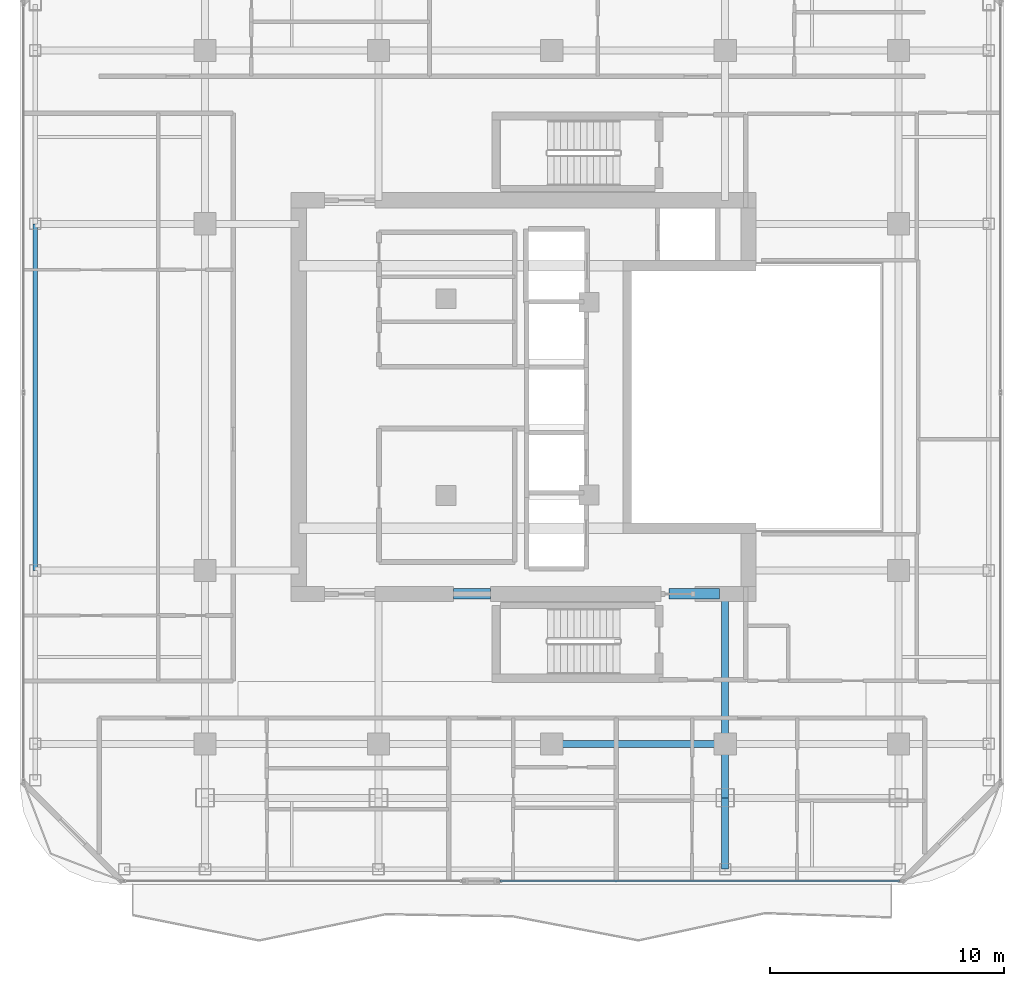
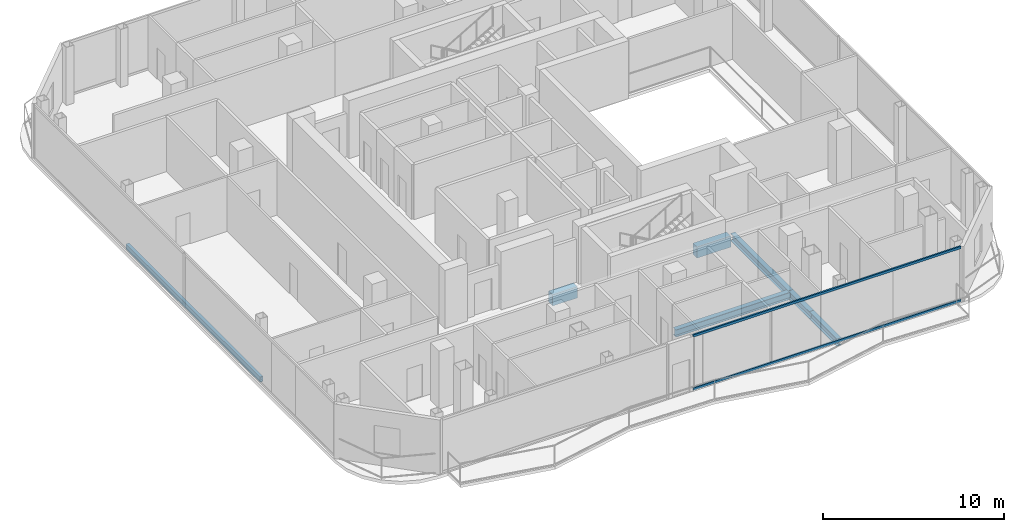
# One storey, part 5 of 22: 7 beams, 2 members, 1 element without a shape of its own.
"""IFC4 building model written with IfcOpenShell, lengths in metres."""

from ifc_helpers import new_model, si_unit, direction, frame, origin, origin_2d, place, context, subcontext, project, spatial, rectangle, hollow_rectangle, i_section, extrude, material, layer, layer_set, material_profile, profile_set, type_object, element, aggregate, save


model = new_model("IFC4")

# Units and contexts
model_context = context("Model", 3, precision=1e-05, world=origin(), true_north=direction((0.0, 1.0)))
body_context = subcontext(model_context, "Body", "Model", "MODEL_VIEW")
ifc_project = project(units=[si_unit("LENGTHUNIT", "METRE"), si_unit("AREAUNIT", "SQUARE_METRE"), si_unit("VOLUMEUNIT", "CUBIC_METRE"), si_unit("PLANEANGLEUNIT", "RADIAN"), si_unit("MASSUNIT", "GRAM", prefix="KILO")], contexts=[model_context])

# Site, building, storey
site_placement = place(None, origin())
site = spatial("IfcSite", under=ifc_project, at=site_placement, CompositionType="ELEMENT")
building_placement = place(site_placement, origin())
building = spatial("IfcBuilding", under=site, at=building_placement, Name="Khorvyn Point Tower", CompositionType="ELEMENT")
storey_placement = place(building_placement, frame((0.0, 0.0, 305.39990234375)))
storey = spatial("IfcBuildingStorey", under=building, at=storey_placement, Name="L75", CompositionType="ELEMENT", Elevation=305.39990234375)

# Curtain wall, members
ifc_material_1 = material(Name="Anodised aluminium 6063-T6 and laminated Low-E glass", Category="aluminium")
ifc_layer = layer(ifc_material_1, 0.18994140625)
ifc_layer_set = layer_set([ifc_layer], Name="Stick-Built High-Wind Curtain Wall CW-SYS-04")
curtain_wall_type = type_object("IfcCurtainWallType", Name="Stick-Built High-Wind Curtain Wall CW-SYS-04", PredefinedType="NOTDEFINED", material=ifc_layer_set)
curtain_wall_placement = place(storey_placement, origin())
curtain_wall = element("IfcCurtainWall", 1, at=curtain_wall_placement, inside=storey, type_object=curtain_wall_type, Name="Curtain Wall", PredefinedType="NOTDEFINED")
ifc_material_2 = material(Name="Anodised aluminium 6063-T6", Category="aluminium")
ifc_material_profile_1 = material_profile(ifc_material_2, hollow_rectangle(XDim=0.10009765625, YDim=0.159912109375, WallThickness=0.00439453125, at=origin_2d()))
ifc_profile_set_1 = profile_set([ifc_material_profile_1], Name="Anodised aluminium 6063-T6 ALU-TRN-100x160")
member_type = type_object("IfcMemberType", Name="Anodised Aluminium 6063-T6 Transom ALU-TRN-100x160", PredefinedType="USERDEFINED", material=ifc_profile_set_1)
member_1_placement = place(storey_placement, frame((14.85009765625, -20.64990234375, 0.050048828125), z_axis=(-1.0, 0.0, 0.0), x_axis=(0.0, -1.0, 0.0)))
member_1 = element("IfcMember", 2, at=member_1_placement, type_object=member_type, Name="Transom", ObjectType="TRANSOM", PredefinedType="USERDEFINED", context=body_context, shape_type="SweptSolid", body=[
    extrude(hollow_rectangle(XDim=0.10009765625, YDim=0.159912109375, WallThickness=0.00439453125, at=origin_2d()), origin(), (0.0, 0.0, 1.0), 17.05712890625),
])
member_2_placement = place(storey_placement, frame((14.85009765625, -20.64990234375, 3.630126953125), z_axis=(-1.0, 0.0, 0.0), x_axis=(0.0, -1.0, 0.0)))
member_2 = element("IfcMember", 3, at=member_2_placement, type_object=member_type, Name="Transom", ObjectType="TRANSOM", PredefinedType="USERDEFINED", context=body_context, shape_type="SweptSolid", body=[
    extrude(hollow_rectangle(XDim=0.10009765625, YDim=0.159912109375, WallThickness=0.00439453125, at=origin_2d()), origin(), (0.0, 0.0, 1.0), 17.05712890625),
])
aggregate(curtain_wall, [member_1, member_2])

# Beams
ifc_material_3 = material(Name="Concrete C40/50", Category="concrete")
ifc_material_profile_2 = material_profile(ifc_material_3, rectangle(XDim=0.449951171875, YDim=0.75, at=origin_2d()))
ifc_profile_set_2 = profile_set([ifc_material_profile_2], Name="Concrete C40/50 RC450x750")
beam_type_1 = type_object("IfcBeamType", Name="Concrete C40/50 Beam RC450x750", PredefinedType="BEAM", material=ifc_profile_set_2)
beam_1_placement = place(storey_placement, frame((-4.199951171875, -8.39990234375, -0.594970703125), z_axis=(1.0, 0.0, 0.0), x_axis=(0.0, 1.0, 0.0)))
element("IfcBeam", 4, at=beam_1_placement, inside=storey, type_object=beam_type_1, Name="L75 Core Shuttle Portal Coupling Beam", PredefinedType="BEAM", context=body_context, shape_type="SweptSolid", body=[
    extrude(rectangle(XDim=0.449951171875, YDim=0.75, at=origin_2d()), origin(), (0.0, 0.0, 1.0), 1.579833984375),
])
beam_2_placement = place(storey_placement, frame((5.0, -8.39990234375, -0.594970703125), z_axis=(1.0, 0.0, 0.0), x_axis=(0.0, 1.0, 0.0)))
element("IfcBeam", 5, at=beam_2_placement, inside=storey, type_object=beam_type_1, Name="L75 Core Southeast Portal Coupling Beam", PredefinedType="BEAM", context=body_context, shape_type="SweptSolid", body=[
    extrude(rectangle(XDim=0.449951171875, YDim=0.75, at=origin_2d()), origin(), (0.0, 0.0, 1.0), 2.14990234375),
])
ifc_material_4 = material(Name="Steel S355", Category="steel")
ifc_material_profile_3 = material_profile(ifc_material_4, i_section(OverallWidth=0.300048828125, OverallDepth=0.488037109375, WebThickness=0.010986328125, FlangeThickness=0.01806640625, at=origin_2d()))
ifc_profile_set_3 = profile_set([ifc_material_profile_3], Name="Steel S355 H488x300x11x18")
beam_type_2 = type_object("IfcBeamType", Name="Steel S355 Spandrel H488x300x11x18", PredefinedType="SPANDREL", material=ifc_profile_set_3)
beam_3_placement = place(storey_placement, frame((0.0, -14.800048828125, -0.4638671875), z_axis=(1.0, 0.0, 0.0), x_axis=(0.0, 1.0, 0.0)))
element("IfcBeam", 6, at=beam_3_placement, inside=storey, type_object=beam_type_2, Name="Beam", PredefinedType="SPANDREL", context=body_context, shape_type="SweptSolid", body=[
    extrude(i_section(OverallWidth=0.300048828125, OverallDepth=0.488037109375, WebThickness=0.010986328125, FlangeThickness=0.01806640625, at=origin_2d()), origin(), (0.0, 0.0, 1.0), 7.39990234375),
])
beam_4_placement = place(storey_placement, frame((7.39990234375, -20.14990234375, -0.4638671875), z_axis=(0.0, 1.0, 0.0), x_axis=(-1.0, 0.0, 0.0)))
element("IfcBeam", 7, at=beam_4_placement, inside=storey, type_object=beam_type_2, Name="Beam", PredefinedType="SPANDREL", context=body_context, shape_type="SweptSolid", body=[
    extrude(i_section(OverallWidth=0.300048828125, OverallDepth=0.488037109375, WebThickness=0.010986328125, FlangeThickness=0.01806640625, at=origin_2d()), origin(), (0.0, 0.0, 1.0), 3.0498046875),
])
beam_5_placement = place(storey_placement, frame((7.39990234375, -17.10009765625, -0.4638671875), z_axis=(0.0, 1.0, 0.0), x_axis=(-1.0, 0.0, 0.0)))
element("IfcBeam", 8, at=beam_5_placement, inside=storey, type_object=beam_type_2, Name="Beam", PredefinedType="SPANDREL", context=body_context, shape_type="SweptSolid", body=[
    extrude(i_section(OverallWidth=0.300048828125, OverallDepth=0.488037109375, WebThickness=0.010986328125, FlangeThickness=0.01806640625, at=origin_2d()), origin(), (0.0, 0.0, 1.0), 2.300048828125),
])
beam_6_placement = place(storey_placement, frame((7.39990234375, -14.800048828125, -0.4638671875), z_axis=(0.0, 1.0, 0.0), x_axis=(-1.0, 0.0, 0.0)))
element("IfcBeam", 9, at=beam_6_placement, inside=storey, type_object=beam_type_2, Name="Beam", PredefinedType="SPANDREL", context=body_context, shape_type="SweptSolid", body=[
    extrude(i_section(OverallWidth=0.300048828125, OverallDepth=0.488037109375, WebThickness=0.010986328125, FlangeThickness=0.01806640625, at=origin_2d()), origin(), (0.0, 0.0, 1.0), 6.400146484375),
])
ifc_material_profile_4 = material_profile(ifc_material_4, hollow_rectangle(XDim=0.199951171875, YDim=0.35009765625, WallThickness=0.013916015625, at=origin_2d()))
ifc_profile_set_4 = profile_set([ifc_material_profile_4], Name="Steel S355 RHS350x200x14")
beam_type_3 = type_object("IfcBeamType", Name="Steel S355 Spandrel RHS350x200x14", PredefinedType="SPANDREL", material=ifc_profile_set_4)
beam_7_placement = place(storey_placement, frame((-22.050048828125, -7.39990234375, -0.39501953125), z_axis=(0.0, 1.0, 0.0), x_axis=(-1.0, 0.0, 0.0)))
element("IfcBeam", 10, at=beam_7_placement, inside=storey, type_object=beam_type_3, Name="Beam", PredefinedType="SPANDREL", context=body_context, shape_type="SweptSolid", body=[
    extrude(hollow_rectangle(XDim=0.199951171875, YDim=0.35009765625, WallThickness=0.013916015625, at=origin_2d()), origin(), (0.0, 0.0, 1.0), 14.7998046875),
])

save(model, "model.ifc")
